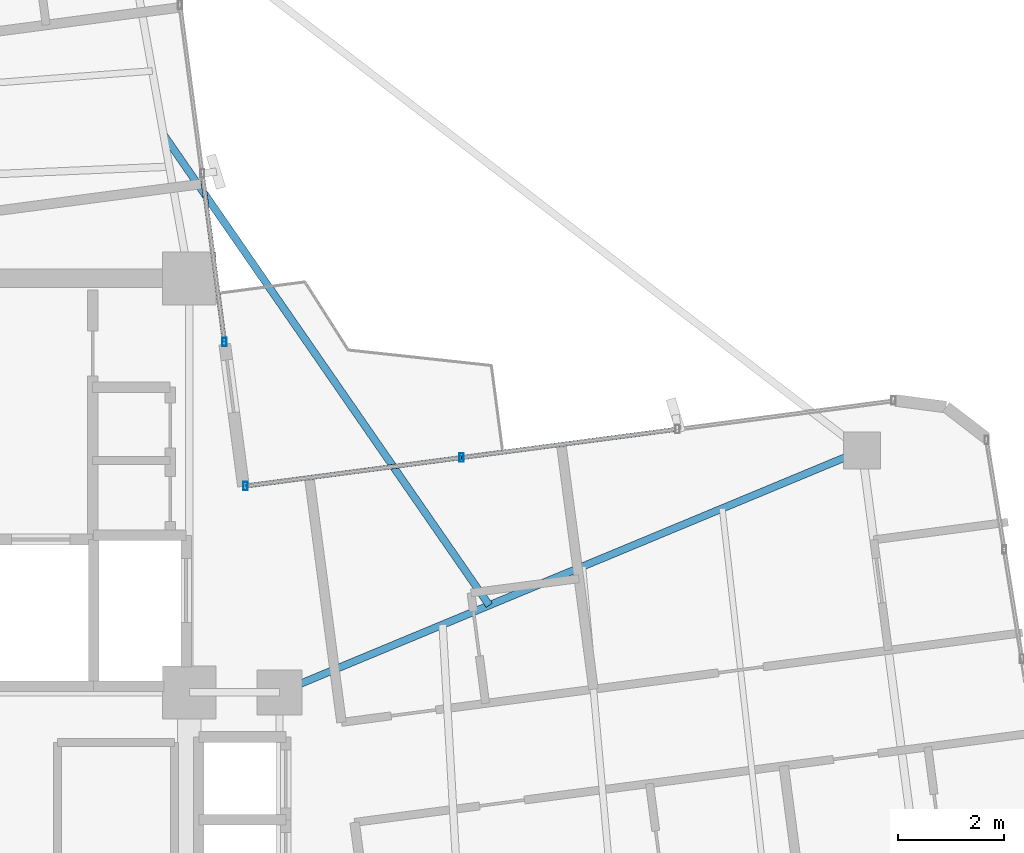
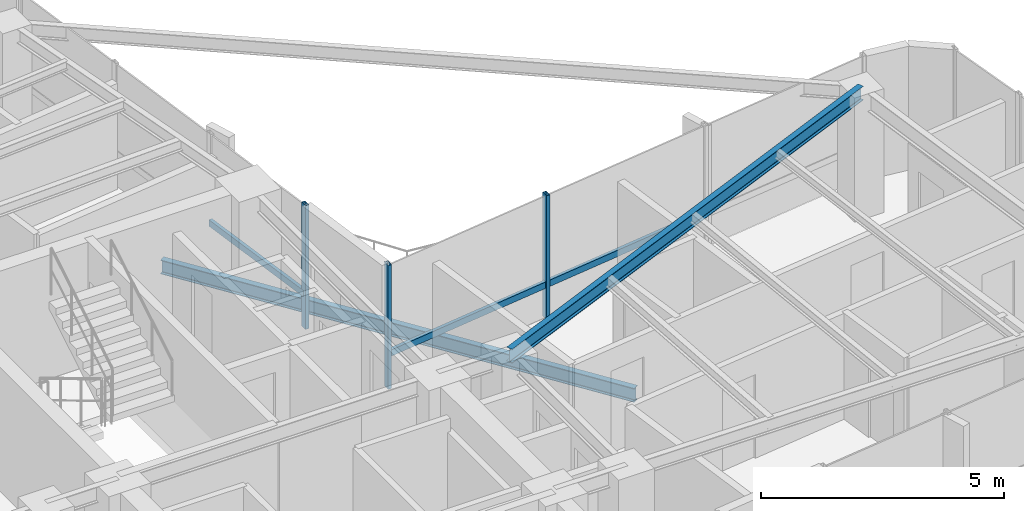
# One storey, part 11 of 22: 6 members, 2 beams, 2 elements without a shape of their own.
"""IFC4 building model written with IfcOpenShell, lengths in metres."""

from ifc_helpers import new_model, si_unit, direction, frame, origin, origin_2d, place, context, subcontext, project, spatial, hollow_rectangle, i_section, extrude, source, transform, mapped, material, material_profile, profile_set, type_object, element, aggregate, save


model = new_model("IFC4")

# Units and contexts
model_context = context("Model", 3, precision=1e-05, world=origin(), true_north=direction((0.0, 1.0)))
body_context = subcontext(model_context, "Body", "Model", "MODEL_VIEW")
ifc_project = project(units=[si_unit("LENGTHUNIT", "METRE"), si_unit("AREAUNIT", "SQUARE_METRE"), si_unit("VOLUMEUNIT", "CUBIC_METRE"), si_unit("PLANEANGLEUNIT", "RADIAN"), si_unit("MASSUNIT", "GRAM", prefix="KILO")], contexts=[model_context])

# Site, building, storey
site_placement = place(None, origin())
site = spatial("IfcSite", under=ifc_project, at=site_placement, CompositionType="ELEMENT")
building_placement = place(site_placement, origin())
building = spatial("IfcBuilding", under=site, at=building_placement, Name="Sahyath Konkavel Grand Hotel", CompositionType="ELEMENT")
storey_placement = place(building_placement, frame((0.0, 0.0, 272.449951171875)))
storey = spatial("IfcBuildingStorey", under=building, at=storey_placement, Name="L76", CompositionType="ELEMENT", Elevation=272.449951171875)

# Beam
ifc_material_1 = material(Name="Steel E350", Category="steel")
ifc_material_profile_1 = material_profile(ifc_material_1, i_section(OverallWidth=0.139892578125, OverallDepth=0.35009765625, WebThickness=0.008056640625, FlangeThickness=0.01416015625, FilletRadius=0.013916015625, at=origin_2d()), Name="ISMB 350")
ifc_profile_set_1 = profile_set([ifc_material_profile_1], Name="Steel E350")
beam_type_1 = type_object("IfcBeamType", Name="BM-ISMB350", PredefinedType="BEAM", material=ifc_profile_set_1)
shared_shape_1 = source(origin(), body_context, "Body", "SweptSolid", [
    extrude(i_section(OverallWidth=0.139892578125, OverallDepth=0.35009765625, WebThickness=0.008056640625, FlangeThickness=0.01416015625, FilletRadius=0.013916015625, at=origin_2d()), origin(), (0.0, 0.0, 1.0), 11.882080078125),
])
beam_1_placement = place(storey_placement, frame((5.5, 2.39990234375, 2.93505859375), z_axis=(0.923435785797, 0.383752979804, 0.0), x_axis=(-0.383752979804, 0.923435785797, 0.0)))
element("IfcBeam", 1, at=beam_1_placement, inside=storey, type_object=beam_type_1, Name="L76 Cruciform Radial Girder EB", PredefinedType="BEAM", context=body_context, shape_type="MappedRepresentation", body=[
    mapped(shared_shape_1, transform((0.0, 0.0, 0.0), scale=1.0)),
])

# Curtain wall, members
ifc_material_2 = material(Name="Anodised Bronze Aluminium & Low-E Glazing", Category="aluminium")
curtain_wall_type = type_object("IfcCurtainWallType", Name="CW-ZONE4", PredefinedType="NOTDEFINED", material=ifc_material_2)
curtain_wall_1_placement = place(storey_placement, origin())
curtain_wall_1 = element("IfcCurtainWall", 2, at=curtain_wall_1_placement, inside=storey, type_object=curtain_wall_type, Name="L76 Unitised Curtain Wall F7", PredefinedType="NOTDEFINED")
ifc_material_3 = material(Name="Anodised Bronze Aluminium", Category="aluminium")
ifc_material_profile_2 = material_profile(ifc_material_3, hollow_rectangle(XDim=0.080078125, YDim=0.159912109375, WallThickness=0.006103515625, at=origin_2d()), Name="RHS 160x80x6")
ifc_profile_set_2 = profile_set([ifc_material_profile_2], Name="Anodised Bronze Aluminium")
member_type_1 = type_object("IfcMemberType", Name="CW-MUL-160", PredefinedType="MULLION", material=ifc_profile_set_2)
shared_shape_2 = source(origin(), body_context, "Body", "SweptSolid", [
    extrude(hollow_rectangle(XDim=0.080078125, YDim=0.159912109375, WallThickness=0.006103515625, at=origin_2d()), origin(), (0.0, 0.0, 1.0), 3.110107421875),
])
member_1_placement = place(storey_placement, frame((8.928955078125, 6.82373046875, 0.0), z_axis=(0.0, 0.0, 1.0), x_axis=(1.0, 0.0, 0.0)))
member_1 = element("IfcMember", 3, at=member_1_placement, type_object=member_type_1, Name="L76 Curtain Wall Mullion F7-2", PredefinedType="MULLION", context=body_context, shape_type="MappedRepresentation", body=[
    mapped(shared_shape_2, transform((0.0, 0.0, 0.0), scale=1.0)),
])
member_2_placement = place(storey_placement, frame((4.86083984375, 6.2880859375, 0.0), z_axis=(0.0, 0.0, 1.0), x_axis=(1.0, 0.0, 0.0)))
member_2 = element("IfcMember", 4, at=member_2_placement, type_object=member_type_1, Name="L76 Curtain Wall Mullion F7-3", PredefinedType="MULLION", context=body_context, shape_type="MappedRepresentation", body=[
    mapped(shared_shape_2, transform((0.0, 0.0, 0.0), scale=1.0)),
])

curtain_wall_2_placement = place(storey_placement, origin())
curtain_wall_2 = element("IfcCurtainWall", 5, at=curtain_wall_2_placement, inside=storey, type_object=curtain_wall_type, Name="L76 Unitised Curtain Wall F8", PredefinedType="NOTDEFINED")
member_3_placement = place(storey_placement, frame((4.46337890625, 8.99951171875, 0.0), z_axis=(0.0, 0.0, 1.0), x_axis=(1.0, 0.0, 0.0)))
member_3 = element("IfcMember", 6, at=member_3_placement, type_object=member_type_1, Name="L76 Curtain Wall Mullion F8-0", PredefinedType="MULLION", context=body_context, shape_type="MappedRepresentation", body=[
    mapped(shared_shape_2, transform((0.0, 0.0, 0.0), scale=1.0)),
])
ifc_material_profile_3 = material_profile(ifc_material_3, hollow_rectangle(XDim=0.080078125, YDim=0.159912109375, WallThickness=0.006103515625, at=origin_2d()), Name="RHS 160x80x6")
ifc_profile_set_3 = profile_set([ifc_material_profile_3], Name="Anodised Bronze Aluminium")
member_type_2 = type_object("IfcMemberType", Name="CW-TRN-160", PredefinedType="USERDEFINED", material=ifc_profile_set_3)
shared_shape_3 = source(origin(), body_context, "Body", "SweptSolid", [
    extrude(hollow_rectangle(XDim=0.080078125, YDim=0.159912109375, WallThickness=0.006103515625, at=origin_2d()), origin(), (0.0, 0.0, 1.0), 3.203369140625),
])
member_4_placement = place(storey_placement, frame((4.46337890625, 8.99951171875, 0.85009765625), z_axis=(-0.130476198668, 0.991451441867, 0.0), x_axis=(-0.991451441867, -0.130476198668, 0.0)))
member_4 = element("IfcMember", 7, at=member_4_placement, type_object=member_type_2, Name="L76 Curtain Wall Transom F8-0-spandrel", ObjectType="TRANSOM", PredefinedType="USERDEFINED", context=body_context, shape_type="MappedRepresentation", body=[
    mapped(shared_shape_3, transform((0.0, 0.0, 0.0), scale=1.0)),
])
aggregate(curtain_wall_2, [member_3, member_4])

# Member
shared_shape_4 = source(origin(), body_context, "Body", "SweptSolid", [
    extrude(hollow_rectangle(XDim=0.080078125, YDim=0.159912109375, WallThickness=0.006103515625, at=origin_2d()), origin(), (0.0, 0.0, 1.0), 4.103271484375),
])
member_5_placement = place(storey_placement, frame((8.928955078125, 6.82373046875, 0.85009765625), z_axis=(-0.991442748161, -0.130542242661, 0.0), x_axis=(0.130542242661, -0.991442748161, 0.0)))
member_5 = element("IfcMember", 8, at=member_5_placement, type_object=member_type_2, Name="L76 Curtain Wall Transom F7-2-spandrel", ObjectType="TRANSOM", PredefinedType="USERDEFINED", context=body_context, shape_type="MappedRepresentation", body=[
    mapped(shared_shape_4, transform((0.0, 0.0, 0.0), scale=1.0)),
])

shared_shape_5 = source(origin(), body_context, "Body", "SweptSolid", [
    extrude(hollow_rectangle(XDim=0.080078125, YDim=0.159912109375, WallThickness=0.006103515625, at=origin_2d()), origin(), (0.0, 0.0, 1.0), 4.103515625),
])
member_6_placement = place(storey_placement, frame((12.997314453125, 7.359619140625, 0.85009765625), z_axis=(-0.991436060505, -0.130593024052, 0.0), x_axis=(0.130593024052, -0.991436060505, 0.0)))
member_6 = element("IfcMember", 9, at=member_6_placement, type_object=member_type_2, Name="L76 Curtain Wall Transom F7-1-spandrel", ObjectType="TRANSOM", PredefinedType="USERDEFINED", context=body_context, shape_type="MappedRepresentation", body=[
    mapped(shared_shape_5, transform((0.0, 0.0, 0.0), scale=1.0)),
])

aggregate(curtain_wall_1, [member_1, member_2, member_6, member_5])

# Beam
ifc_material_profile_4 = material_profile(ifc_material_1, i_section(OverallWidth=0.139892578125, OverallDepth=0.35009765625, WebThickness=0.008056640625, FlangeThickness=0.01416015625, FilletRadius=0.013916015625, at=origin_2d()), Name="ISMB 350")
ifc_profile_set_4 = profile_set([ifc_material_profile_4], Name="Steel E350")
beam_type_2 = type_object("IfcBeamType", Name="BM-BALC-CANT", PredefinedType="BEAM", material=ifc_profile_set_4)
shared_shape_6 = source(origin(), body_context, "Body", "SweptSolid", [
    extrude(i_section(OverallWidth=0.139892578125, OverallDepth=0.35009765625, WebThickness=0.008056640625, FlangeThickness=0.01416015625, FilletRadius=0.013916015625, at=origin_2d()), origin(), (0.0, 0.0, 1.0), 10.778076171875),
])
beam_2_placement = place(storey_placement, frame((9.4501953125, 4.04150390625, -0.4150390625), z_axis=(-0.569013254295, 0.822328350743, 0.0), x_axis=(-0.822328350743, -0.569013254295, 0.0)))
element("IfcBeam", 10, at=beam_2_placement, inside=storey, type_object=beam_type_2, Name="L76 Balcony Cantilever Support Beam NE", PredefinedType="BEAM", context=body_context, shape_type="MappedRepresentation", body=[
    mapped(shared_shape_6, transform((0.0, 0.0, 0.0), scale=1.0)),
])

save(model, "model.ifc")
